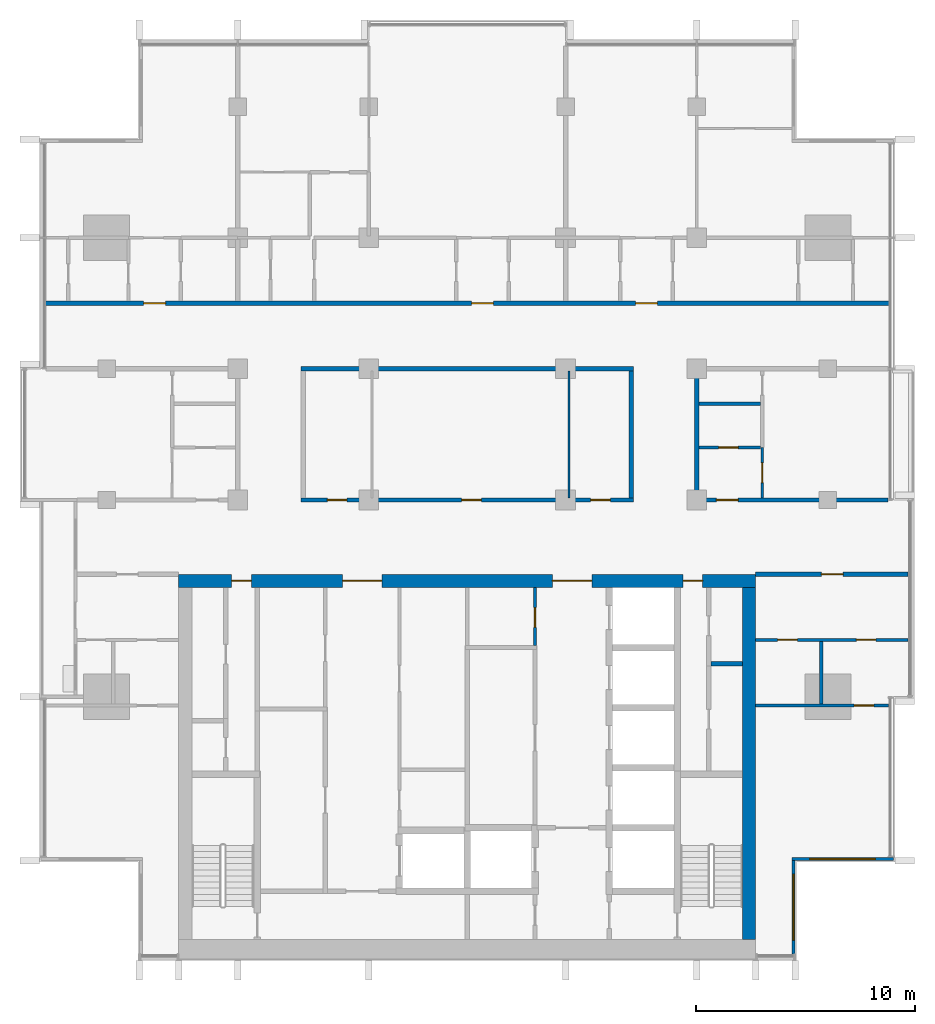
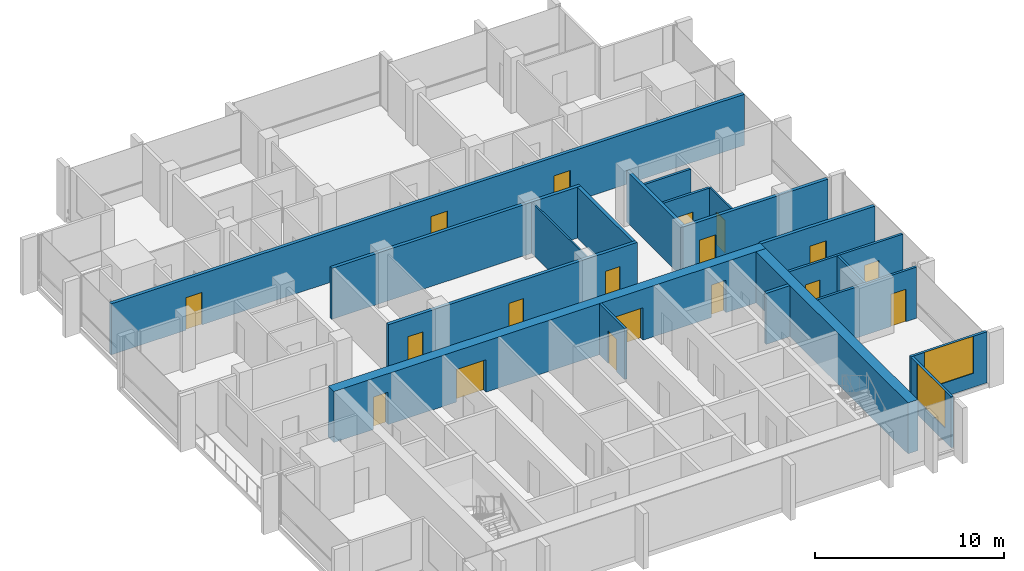
# One storey, part 9 of 16: 20 walls, 18 doors, 2 windows, 20 openings.
"""IFC4 building model written with IfcOpenShell, lengths in metres."""

from ifc_helpers import new_model, si_unit, direction, frame, frame_2d, origin, place, context, subcontext, project, spatial, rectangle, extrude, material, layer, layer_set, type_object, element, fill, save


model = new_model("IFC4")

# Units and contexts
model_context = context("Model", 3, precision=1e-05, world=origin(), true_north=direction((0.0, 1.0)))
body_context = subcontext(model_context, "Body", "Model", "MODEL_VIEW")
ifc_project = project(units=[si_unit("LENGTHUNIT", "METRE"), si_unit("AREAUNIT", "SQUARE_METRE"), si_unit("VOLUMEUNIT", "CUBIC_METRE"), si_unit("PLANEANGLEUNIT", "RADIAN"), si_unit("MASSUNIT", "GRAM", prefix="KILO")], contexts=[model_context])

# Site, building, storey
site_placement = place(None, origin())
site = spatial("IfcSite", under=ifc_project, at=site_placement, CompositionType="ELEMENT")
building_placement = place(site_placement, origin())
building = spatial("IfcBuilding", under=site, at=building_placement, Name="Finial Court Residences", CompositionType="ELEMENT")
storey_placement = place(building_placement, frame((0.0, 0.0, 215.89990234375)))
storey = spatial("IfcBuildingStorey", under=building, at=storey_placement, Name="L54", CompositionType="ELEMENT", Elevation=215.89990234375)

# Wall, openings, doors
ifc_material_1 = material(Name="Concrete C60/75", Category="concrete")
ifc_layer_1 = layer(ifc_material_1, 0.60009765625)
ifc_layer_set_1 = layer_set([ifc_layer_1], Name="Core outer wall 600 Concrete C60/75")
wall_type_1 = type_object("IfcWallType", Name="Core outer wall 600 Concrete C60/75", PredefinedType="SHEAR", material=ifc_layer_set_1)
wall_1_placement = place(storey_placement, frame((-13.199951171875, -8.199951171875, 0.0), z_axis=(0.0, 0.0, 1.0), x_axis=(1.0, 0.0, 0.0)))
wall_1 = element("IfcWall", 1, at=wall_1_placement, inside=storey, type_object=wall_type_1, Name="Core outer wall L54-02", PredefinedType="SHEAR", context=body_context, shape_type="SweptSolid", body=[
    extrude(rectangle(XDim=26.39990234375, YDim=0.60009765625, at=frame_2d((13.199951171875, 0.0))), origin(), (0.0, 0.0, 1.0), 3.300048828125),
])
opening_1_placement = place(wall_1_placement, frame((7.5, 0.0, 0.0)))
opening_1 = element("IfcOpeningElement", 2, at=opening_1_placement, cuts=wall_1, Name="Opening L54-C04", PredefinedType="OPENING", context=body_context, shape_type="SweptSolid", body=[
    extrude(rectangle(XDim=1.800048828125, YDim=2.10009765625, at=frame_2d((0.89990234375, 1.050048828125))), frame((0.0, 0.31005859375, 0.0), z_axis=(0.0, -1.0, 0.0), x_axis=(1.0, 0.0, 0.0)), (0.0, 0.0, 1.0), 0.6201171875),
])
opening_2_placement = place(wall_1_placement, frame((17.10009765625, 0.0, 0.0)))
opening_2 = element("IfcOpeningElement", 3, at=opening_2_placement, cuts=wall_1, Name="Opening L54-C05", PredefinedType="OPENING", context=body_context, shape_type="SweptSolid", body=[
    extrude(rectangle(XDim=1.800048828125, YDim=2.10009765625, at=frame_2d((0.89990234375, 1.050048828125))), frame((0.0, 0.31005859375, 0.0), z_axis=(0.0, -1.0, 0.0), x_axis=(1.0, 0.0, 0.0)), (0.0, 0.0, 1.0), 0.6201171875),
])
opening_3_placement = place(wall_1_placement, frame((2.425048828125, 0.0, 0.0)))
opening_3 = element("IfcOpeningElement", 4, at=opening_3_placement, cuts=wall_1, Name="Opening L54-C11", PredefinedType="OPENING", context=body_context, shape_type="SweptSolid", body=[
    extrude(rectangle(XDim=0.89990234375, YDim=2.10009765625, at=frame_2d((0.449951171875, 1.050048828125))), frame((0.0, 0.31005859375, 0.0), z_axis=(0.0, -1.0, 0.0), x_axis=(1.0, 0.0, 0.0)), (0.0, 0.0, 1.0), 0.6201171875),
])
opening_4_placement = place(wall_1_placement, frame((23.074951171875, 0.0, 0.0)))
opening_4 = element("IfcOpeningElement", 5, at=opening_4_placement, cuts=wall_1, Name="Opening L54-C12", PredefinedType="OPENING", context=body_context, shape_type="SweptSolid", body=[
    extrude(rectangle(XDim=0.89990234375, YDim=2.10009765625, at=frame_2d((0.449951171875, 1.050048828125))), frame((0.0, 0.31005859375, 0.0), z_axis=(0.0, -1.0, 0.0), x_axis=(1.0, 0.0, 0.0)), (0.0, 0.0, 1.0), 0.6201171875),
])
ifc_material_2 = material(Name="Steel fire door", Category="steel")
door_type_1 = type_object("IfcDoorType", Name="Lift lobby door 1800 x 2100 EI 60", OperationType="DOUBLE_DOOR_SINGLE_SWING", PredefinedType="DOOR", material=ifc_material_2)
door_1_placement = place(opening_1_placement, origin())
door_1 = element("IfcDoor", 6, at=door_1_placement, inside=storey, type_object=door_type_1, Name="Lift lobby door L54-C04", OperationType="DOUBLE_DOOR_SINGLE_SWING", OverallHeight=2.10009765625, OverallWidth=1.800048828125, PredefinedType="DOOR", context=body_context, shape_type="SweptSolid", body=[
    extrude(rectangle(XDim=1.800048828125, YDim=2.10009765625, at=frame_2d((0.89990234375, 1.050048828125))), frame((0.0, 0.02490234375, 0.0), z_axis=(0.0, -1.0, 0.0), x_axis=(1.0, 0.0, 0.0)), (0.0, 0.0, 1.0), 0.050048828125),
])
fill(opening_1, door_1)
door_2_placement = place(opening_2_placement, origin())
door_2 = element("IfcDoor", 7, at=door_2_placement, inside=storey, type_object=door_type_1, Name="Lift lobby door L54-C05", OperationType="DOUBLE_DOOR_SINGLE_SWING", OverallHeight=2.10009765625, OverallWidth=1.800048828125, PredefinedType="DOOR", context=body_context, shape_type="SweptSolid", body=[
    extrude(rectangle(XDim=1.800048828125, YDim=2.10009765625, at=frame_2d((0.89990234375, 1.050048828125))), frame((0.0, 0.02490234375, 0.0), z_axis=(0.0, -1.0, 0.0), x_axis=(1.0, 0.0, 0.0)), (0.0, 0.0, 1.0), 0.050048828125),
])
fill(opening_2, door_2)
door_type_2 = type_object("IfcDoorType", Name="Riser room door 900 x 2100 EI 90", OperationType="NOTDEFINED", PredefinedType="DOOR", material=ifc_material_2)
door_3_placement = place(opening_3_placement, origin())
door_3 = element("IfcDoor", 8, at=door_3_placement, inside=storey, type_object=door_type_2, Name="Riser room door L54-C11", OperationType="SINGLE_SWING_RIGHT", OverallHeight=2.10009765625, OverallWidth=0.89990234375, PredefinedType="DOOR", context=body_context, shape_type="SweptSolid", body=[
    extrude(rectangle(XDim=0.89990234375, YDim=2.10009765625, at=frame_2d((0.449951171875, 1.050048828125))), frame((0.0, 0.02490234375, 0.0), z_axis=(0.0, -1.0, 0.0), x_axis=(1.0, 0.0, 0.0)), (0.0, 0.0, 1.0), 0.050048828125),
])
fill(opening_3, door_3)
door_4_placement = place(opening_4_placement, origin())
door_4 = element("IfcDoor", 9, at=door_4_placement, inside=storey, type_object=door_type_2, Name="Riser room door L54-C12", OperationType="SINGLE_SWING_LEFT", OverallHeight=2.10009765625, OverallWidth=0.89990234375, PredefinedType="DOOR", context=body_context, shape_type="SweptSolid", body=[
    extrude(rectangle(XDim=0.89990234375, YDim=2.10009765625, at=frame_2d((0.449951171875, 1.050048828125))), frame((0.0, 0.02490234375, 0.0), z_axis=(0.0, -1.0, 0.0), x_axis=(1.0, 0.0, 0.0)), (0.0, 0.0, 1.0), 0.050048828125),
])
fill(opening_4, door_4)

# Wall
wall_2_placement = place(storey_placement, frame((12.89990234375, -24.60009765625, 0.0), z_axis=(0.0, 0.0, 1.0), x_axis=(0.0, 1.0, 0.0)))
element("IfcWall", 10, at=wall_2_placement, inside=storey, type_object=wall_type_1, Name="Core outer wall L54-04", PredefinedType="SHEAR", context=body_context, shape_type="SweptSolid", body=[
    extrude(rectangle(XDim=16.10009765625, YDim=0.60009765625, at=frame_2d((8.050048828125, 0.0))), origin(), (0.0, 0.0, 1.0), 3.300048828125),
])

# Wall, opening, door
ifc_material_3 = material(Name="Fire-rated gypsum board partition")
ifc_layer_2 = layer(ifc_material_3, 0.14990234375)
ifc_layer_set_2 = layer_set([ifc_layer_2], Name="Core room partition 150 EI 60")
wall_type_2 = type_object("IfcWallType", Name="Core room partition 150 EI 60", PredefinedType="PARTITIONING", material=ifc_layer_set_2)
wall_3_placement = place(storey_placement, frame((3.10009765625, -11.14990234375, 0.0), z_axis=(0.0, 0.0, 1.0), x_axis=(0.0, 1.0, 0.0)))
wall_3 = element("IfcWall", 11, at=wall_3_placement, inside=storey, type_object=wall_type_2, Name="Core partition L54-35", PredefinedType="PARTITIONING", context=body_context, shape_type="SweptSolid", body=[
    extrude(rectangle(XDim=2.64990234375, YDim=0.14990234375, at=frame_2d((1.324951171875, 0.0))), origin(), (0.0, 0.0, 1.0), 3.300048828125),
])
opening_5_placement = place(wall_3_placement, frame((0.824951171875, 0.0, 0.0)))
opening_5 = element("IfcOpeningElement", 12, at=opening_5_placement, cuts=wall_3, Name="Opening L54-C18", PredefinedType="OPENING", context=body_context, shape_type="SweptSolid", body=[
    extrude(rectangle(XDim=0.89990234375, YDim=2.10009765625, at=frame_2d((0.449951171875, 1.050048828125))), frame((0.0, 0.0849609375, 0.0), z_axis=(0.0, -1.0, 0.0), x_axis=(1.0, 0.0, 0.0)), (0.0, 0.0, 1.0), 0.169921875),
])
door_type_3 = type_object("IfcDoorType", Name="Core room door 900 x 2100 EI 60", OperationType="NOTDEFINED", PredefinedType="DOOR", material=ifc_material_2)
door_5_placement = place(opening_5_placement, origin())
door_5 = element("IfcDoor", 13, at=door_5_placement, inside=storey, type_object=door_type_3, Name="Core room door L54-C18", OperationType="SINGLE_SWING_LEFT", OverallHeight=2.10009765625, OverallWidth=0.89990234375, PredefinedType="DOOR", context=body_context, shape_type="SweptSolid", body=[
    extrude(rectangle(XDim=0.89990234375, YDim=2.10009765625, at=frame_2d((0.449951171875, 1.050048828125))), frame((0.0, 0.02490234375, 0.0), z_axis=(0.0, -1.0, 0.0), x_axis=(1.0, 0.0, 0.0)), (0.0, 0.0, 1.0), 0.050048828125),
])
fill(opening_5, door_5)

ifc_material_4 = material(Name="Gypsum board")
ifc_layer_3 = layer(ifc_material_4, 0.02490234375)
ifc_material_5 = material(Name="Acoustic mineral wool in double frame")
ifc_layer_4 = layer(ifc_material_5, 0.14990234375)
ifc_layer_5 = layer(ifc_material_4, 0.02490234375)
ifc_layer_set_3 = layer_set([ifc_layer_3, ifc_layer_4, ifc_layer_5], Name="Corridor wall 200, 1 hour")
wall_type_3 = type_object("IfcWallType", Name="Corridor wall 200, 1 hour", PredefinedType="PARTITIONING", material=ifc_layer_set_3)
wall_4_placement = place(storey_placement, frame((13.199951171875, -7.89990234375, 0.0), z_axis=(0.0, 0.0, 1.0), x_axis=(1.0, 0.0, 0.0)))
wall_4 = element("IfcWall", 14, at=wall_4_placement, inside=storey, type_object=wall_type_3, Name="Partition L54-005", PredefinedType="PARTITIONING", context=body_context, shape_type="SweptSolid", body=[
    extrude(rectangle(XDim=6.962646484375, YDim=0.199951171875, at=frame_2d((3.4814453125, 0.0))), origin(), (0.0, 0.0, 1.0), 3.300048828125),
])
opening_6_placement = place(wall_4_placement, frame((3.0, 0.0, 0.0)))
opening_6 = element("IfcOpeningElement", 15, at=opening_6_placement, cuts=wall_4, Name="Opening L54-D008", PredefinedType="OPENING", context=body_context, shape_type="SweptSolid", body=[
    extrude(rectangle(XDim=1.0, YDim=2.10009765625, at=frame_2d((0.5, 1.050048828125))), frame((0.0, 0.10986328125, 0.0), z_axis=(0.0, -1.0, 0.0), x_axis=(1.0, 0.0, 0.0)), (0.0, 0.0, 1.0), 0.219970703125),
])
ifc_material_6 = material(Name="Timber door leaf in hollow metal frame", Category="wood")
door_type_4 = type_object("IfcDoorType", Name="Fire door set 1000 x 2100, 30 minutes", OperationType="SINGLE_SWING_LEFT", PredefinedType="DOOR", material=ifc_material_6)
door_6_placement = place(opening_6_placement, origin())
door_6 = element("IfcDoor", 16, at=door_6_placement, inside=storey, type_object=door_type_4, Name="Door L54-D008", OperationType="SINGLE_SWING_LEFT", OverallHeight=2.10009765625, OverallWidth=1.0, PredefinedType="DOOR", context=body_context, shape_type="SweptSolid", body=[
    extrude(rectangle(XDim=1.0, YDim=2.10009765625, at=frame_2d((0.5, 1.050048828125))), frame((0.0, 0.02490234375, 0.0), z_axis=(0.0, -1.0, 0.0), x_axis=(1.0, 0.0, 0.0)), (0.0, 0.0, 1.0), 0.050048828125),
])
fill(opening_6, door_6)

# Wall, openings, doors
wall_5_placement = place(storey_placement, frame((-7.60009765625, -4.5, 0.0), z_axis=(0.0, 0.0, 1.0), x_axis=(1.0, 0.0, 0.0)))
wall_5 = element("IfcWall", 17, at=wall_5_placement, inside=storey, type_object=wall_type_3, Name="Partition L54-007", PredefinedType="PARTITIONING", context=body_context, shape_type="SweptSolid", body=[
    extrude(rectangle(XDim=15.2001953125, YDim=0.199951171875, at=frame_2d((7.60009765625, 0.0))), origin(), (0.0, 0.0, 1.0), 3.300048828125),
])
opening_7_placement = place(wall_5_placement, frame((1.199951171875, 0.0, 0.0)))
opening_7 = element("IfcOpeningElement", 18, at=opening_7_placement, cuts=wall_5, Name="Opening L54-D010", PredefinedType="OPENING", context=body_context, shape_type="SweptSolid", body=[
    extrude(rectangle(XDim=0.89990234375, YDim=2.10009765625, at=frame_2d((0.449951171875, 1.050048828125))), frame((0.0, 0.10986328125, 0.0), z_axis=(0.0, -1.0, 0.0), x_axis=(1.0, 0.0, 0.0)), (0.0, 0.0, 1.0), 0.219970703125),
])
opening_8_placement = place(wall_5_placement, frame((7.35009765625, 0.0, 0.0)))
opening_8 = element("IfcOpeningElement", 19, at=opening_8_placement, cuts=wall_5, Name="Opening L54-D011", PredefinedType="OPENING", context=body_context, shape_type="SweptSolid", body=[
    extrude(rectangle(XDim=0.89990234375, YDim=2.10009765625, at=frame_2d((0.449951171875, 1.050048828125))), frame((0.0, 0.10986328125, 0.0), z_axis=(0.0, -1.0, 0.0), x_axis=(1.0, 0.0, 0.0)), (0.0, 0.0, 1.0), 0.219970703125),
])
opening_9_placement = place(wall_5_placement, frame((13.25, 0.0, 0.0)))
opening_9 = element("IfcOpeningElement", 20, at=opening_9_placement, cuts=wall_5, Name="Opening L54-D012", PredefinedType="OPENING", context=body_context, shape_type="SweptSolid", body=[
    extrude(rectangle(XDim=0.89990234375, YDim=2.10009765625, at=frame_2d((0.449951171875, 1.050048828125))), frame((0.0, 0.10986328125, 0.0), z_axis=(0.0, -1.0, 0.0), x_axis=(1.0, 0.0, 0.0)), (0.0, 0.0, 1.0), 0.219970703125),
])
door_type_5 = type_object("IfcDoorType", Name="Fire door set 900 x 2100, 30 minutes", OperationType="SINGLE_SWING_LEFT", PredefinedType="DOOR", material=ifc_material_6)
door_7_placement = place(opening_7_placement, origin())
door_7 = element("IfcDoor", 21, at=door_7_placement, inside=storey, type_object=door_type_5, Name="Door L54-D010", OperationType="SINGLE_SWING_RIGHT", OverallHeight=2.10009765625, OverallWidth=0.89990234375, PredefinedType="DOOR", context=body_context, shape_type="SweptSolid", body=[
    extrude(rectangle(XDim=0.89990234375, YDim=2.10009765625, at=frame_2d((0.449951171875, 1.050048828125))), frame((0.0, 0.02490234375, 0.0), z_axis=(0.0, -1.0, 0.0), x_axis=(1.0, 0.0, 0.0)), (0.0, 0.0, 1.0), 0.050048828125),
])
fill(opening_7, door_7)
door_8_placement = place(opening_8_placement, origin())
door_8 = element("IfcDoor", 22, at=door_8_placement, inside=storey, type_object=door_type_5, Name="Door L54-D011", OperationType="SINGLE_SWING_LEFT", OverallHeight=2.10009765625, OverallWidth=0.89990234375, PredefinedType="DOOR", context=body_context, shape_type="SweptSolid", body=[
    extrude(rectangle(XDim=0.89990234375, YDim=2.10009765625, at=frame_2d((0.449951171875, 1.050048828125))), frame((0.0, 0.02490234375, 0.0), z_axis=(0.0, -1.0, 0.0), x_axis=(1.0, 0.0, 0.0)), (0.0, 0.0, 1.0), 0.050048828125),
])
fill(opening_8, door_8)
door_9_placement = place(opening_9_placement, origin())
door_9 = element("IfcDoor", 23, at=door_9_placement, inside=storey, type_object=door_type_5, Name="Door L54-D012", OperationType="SINGLE_SWING_LEFT", OverallHeight=2.10009765625, OverallWidth=0.89990234375, PredefinedType="DOOR", context=body_context, shape_type="SweptSolid", body=[
    extrude(rectangle(XDim=0.89990234375, YDim=2.10009765625, at=frame_2d((0.449951171875, 1.050048828125))), frame((0.0, 0.02490234375, 0.0), z_axis=(0.0, -1.0, 0.0), x_axis=(1.0, 0.0, 0.0)), (0.0, 0.0, 1.0), 0.050048828125),
])
fill(opening_9, door_9)

# Wall, opening, door
wall_6_placement = place(storey_placement, frame((10.39990234375, -4.5, 0.0), z_axis=(0.0, 0.0, 1.0), x_axis=(1.0, 0.0, 0.0)))
wall_6 = element("IfcWall", 24, at=wall_6_placement, inside=storey, type_object=wall_type_3, Name="Partition L54-008", PredefinedType="PARTITIONING", context=body_context, shape_type="SweptSolid", body=[
    extrude(rectangle(XDim=8.862548828125, YDim=0.199951171875, at=frame_2d((4.43115234375, 0.0))), origin(), (0.0, 0.0, 1.0), 3.300048828125),
])
opening_10_placement = place(wall_6_placement, frame((1.0, 0.0, 0.0)))
opening_10 = element("IfcOpeningElement", 25, at=opening_10_placement, cuts=wall_6, Name="Opening L54-D013", PredefinedType="OPENING", context=body_context, shape_type="SweptSolid", body=[
    extrude(rectangle(XDim=1.0, YDim=2.10009765625, at=frame_2d((0.5, 1.050048828125))), frame((0.0, 0.10986328125, 0.0), z_axis=(0.0, -1.0, 0.0), x_axis=(1.0, 0.0, 0.0)), (0.0, 0.0, 1.0), 0.219970703125),
])
door_10_placement = place(opening_10_placement, origin())
door_10 = element("IfcDoor", 26, at=door_10_placement, inside=storey, type_object=door_type_4, Name="Door L54-D013", OperationType="SINGLE_SWING_RIGHT", OverallHeight=2.10009765625, OverallWidth=1.0, PredefinedType="DOOR", context=body_context, shape_type="SweptSolid", body=[
    extrude(rectangle(XDim=1.0, YDim=2.10009765625, at=frame_2d((0.5, 1.050048828125))), frame((0.0, 0.02490234375, 0.0), z_axis=(0.0, -1.0, 0.0), x_axis=(1.0, 0.0, 0.0)), (0.0, 0.0, 1.0), 0.050048828125),
])
fill(opening_10, door_10)

# Wall
wall_7_placement = place(storey_placement, frame((-7.60009765625, 1.5, 0.0), z_axis=(0.0, 0.0, 1.0), x_axis=(1.0, 0.0, 0.0)))
element("IfcWall", 27, at=wall_7_placement, inside=storey, type_object=wall_type_3, Name="Partition L54-014", PredefinedType="PARTITIONING", context=body_context, shape_type="SweptSolid", body=[
    extrude(rectangle(XDim=15.2001953125, YDim=0.199951171875, at=frame_2d((7.60009765625, 0.0))), origin(), (0.0, 0.0, 1.0), 3.300048828125),
])

# Wall, openings, doors
wall_8_placement = place(storey_placement, frame((-19.35009765625, 4.5, 0.0), z_axis=(0.0, 0.0, 1.0), x_axis=(1.0, 0.0, 0.0)))
wall_8 = element("IfcWall", 28, at=wall_8_placement, inside=storey, type_object=wall_type_3, Name="Partition L54-016", PredefinedType="PARTITIONING", context=body_context, shape_type="SweptSolid", body=[
    extrude(rectangle(XDim=38.7001953125, YDim=0.199951171875, at=frame_2d((19.35009765625, 0.0))), origin(), (0.0, 0.0, 1.0), 3.300048828125),
])
opening_11_placement = place(wall_8_placement, frame((4.550048828125, 0.0, 0.0)))
opening_11 = element("IfcOpeningElement", 29, at=opening_11_placement, cuts=wall_8, Name="Opening L54-D016", PredefinedType="OPENING", context=body_context, shape_type="SweptSolid", body=[
    extrude(rectangle(XDim=1.0, YDim=2.10009765625, at=frame_2d((0.5, 1.050048828125))), frame((0.0, 0.10986328125, 0.0), z_axis=(0.0, -1.0, 0.0), x_axis=(1.0, 0.0, 0.0)), (0.0, 0.0, 1.0), 0.219970703125),
])
opening_12_placement = place(wall_8_placement, frame((19.550048828125, 0.0, 0.0)))
opening_12 = element("IfcOpeningElement", 30, at=opening_12_placement, cuts=wall_8, Name="Opening L54-D017", PredefinedType="OPENING", context=body_context, shape_type="SweptSolid", body=[
    extrude(rectangle(XDim=1.0, YDim=2.10009765625, at=frame_2d((0.5, 1.050048828125))), frame((0.0, 0.10986328125, 0.0), z_axis=(0.0, -1.0, 0.0), x_axis=(1.0, 0.0, 0.0)), (0.0, 0.0, 1.0), 0.219970703125),
])
opening_13_placement = place(wall_8_placement, frame((27.050048828125, 0.0, 0.0)))
opening_13 = element("IfcOpeningElement", 31, at=opening_13_placement, cuts=wall_8, Name="Opening L54-D018", PredefinedType="OPENING", context=body_context, shape_type="SweptSolid", body=[
    extrude(rectangle(XDim=1.0, YDim=2.10009765625, at=frame_2d((0.5, 1.050048828125))), frame((0.0, 0.10986328125, 0.0), z_axis=(0.0, -1.0, 0.0), x_axis=(1.0, 0.0, 0.0)), (0.0, 0.0, 1.0), 0.219970703125),
])
door_11_placement = place(opening_11_placement, origin())
door_11 = element("IfcDoor", 32, at=door_11_placement, inside=storey, type_object=door_type_4, Name="Door L54-D016", OperationType="SINGLE_SWING_RIGHT", OverallHeight=2.10009765625, OverallWidth=1.0, PredefinedType="DOOR", context=body_context, shape_type="SweptSolid", body=[
    extrude(rectangle(XDim=1.0, YDim=2.10009765625, at=frame_2d((0.5, 1.050048828125))), frame((0.0, 0.02490234375, 0.0), z_axis=(0.0, -1.0, 0.0), x_axis=(1.0, 0.0, 0.0)), (0.0, 0.0, 1.0), 0.050048828125),
])
fill(opening_11, door_11)
door_12_placement = place(opening_12_placement, origin())
door_12 = element("IfcDoor", 33, at=door_12_placement, inside=storey, type_object=door_type_4, Name="Door L54-D017", OperationType="SINGLE_SWING_LEFT", OverallHeight=2.10009765625, OverallWidth=1.0, PredefinedType="DOOR", context=body_context, shape_type="SweptSolid", body=[
    extrude(rectangle(XDim=1.0, YDim=2.10009765625, at=frame_2d((0.5, 1.050048828125))), frame((0.0, 0.02490234375, 0.0), z_axis=(0.0, -1.0, 0.0), x_axis=(1.0, 0.0, 0.0)), (0.0, 0.0, 1.0), 0.050048828125),
])
fill(opening_12, door_12)
door_13_placement = place(opening_13_placement, origin())
door_13 = element("IfcDoor", 34, at=door_13_placement, inside=storey, type_object=door_type_4, Name="Door L54-D018", OperationType="SINGLE_SWING_LEFT", OverallHeight=2.10009765625, OverallWidth=1.0, PredefinedType="DOOR", context=body_context, shape_type="SweptSolid", body=[
    extrude(rectangle(XDim=1.0, YDim=2.10009765625, at=frame_2d((0.5, 1.050048828125))), frame((0.0, 0.02490234375, 0.0), z_axis=(0.0, -1.0, 0.0), x_axis=(1.0, 0.0, 0.0)), (0.0, 0.0, 1.0), 0.050048828125),
])
fill(opening_13, door_13)

# Walls
for number, where, z_axis, x_axis, name in (
    (35, (7.5, -4.39990234375, 0.0), (0.0, 0.0, 1.0), (0.0, 1.0, 0.0), "Partition L54-054"),
    (36, (10.5, -4.39990234375, 0.0), (0.0, 0.0, 1.0), (0.0, 1.0, 0.0), "Partition L54-056"),
):
    element("IfcWall", number, at=place(storey_placement, frame(where, z_axis=z_axis, x_axis=x_axis)), inside=storey, type_object=wall_type_3, Name=name, PredefinedType="PARTITIONING", context=body_context, shape_type="SweptSolid", body=[
        extrude(rectangle(XDim=5.7998046875, YDim=0.199951171875, at=frame_2d((2.89990234375, 0.0))), origin(), (0.0, 0.0, 1.0), 3.300048828125),
    ])
ifc_layer_6 = layer(ifc_material_4, 0.012451171875)
ifc_material_7 = material(Name="Mineral wool in light-gauge frame")
ifc_layer_7 = layer(ifc_material_7, 0.074951171875)
ifc_layer_8 = layer(ifc_material_4, 0.012451171875)
ifc_layer_set_4 = layer_set([ifc_layer_6, ifc_layer_7, ifc_layer_8], Name="Gypsum board partition 100")
wall_type_4 = type_object("IfcWallType", Name="Gypsum board partition 100", PredefinedType="PARTITIONING", material=ifc_layer_set_4)
wall_9_placement = place(storey_placement, frame((4.64990234375, -4.39990234375, 0.0), z_axis=(0.0, 0.0, 1.0), x_axis=(0.0, 1.0, 0.0)))
element("IfcWall", 37, at=wall_9_placement, inside=storey, type_object=wall_type_4, Name="Partition L54-052", PredefinedType="PARTITIONING", context=body_context, shape_type="SweptSolid", body=[
    extrude(rectangle(XDim=5.7998046875, YDim=0.10009765625, at=frame_2d((2.89990234375, 0.0))), origin(), (0.0, 0.0, 1.0), 3.300048828125),
])

# Wall, opening, door
wall_10_placement = place(storey_placement, frame((13.5, -4.39990234375, 0.0), z_axis=(0.0, 0.0, 1.0), x_axis=(0.0, 1.0, 0.0)))
wall_10 = element("IfcWall", 38, at=wall_10_placement, inside=storey, type_object=wall_type_4, Name="Partition L54-058", PredefinedType="PARTITIONING", context=body_context, shape_type="SweptSolid", body=[
    extrude(rectangle(XDim=2.2998046875, YDim=0.10009765625, at=frame_2d((1.14990234375, 0.0))), origin(), (0.0, 0.0, 1.0), 3.300048828125),
])
opening_14_placement = place(wall_10_placement, frame((0.699951171875, 0.0, 0.0)))
opening_14 = element("IfcOpeningElement", 39, at=opening_14_placement, cuts=wall_10, Name="Opening L54-D038", PredefinedType="OPENING", context=body_context, shape_type="SweptSolid", body=[
    extrude(rectangle(XDim=0.89990234375, YDim=2.10009765625, at=frame_2d((0.449951171875, 1.050048828125))), frame((0.0, 0.06005859375, 0.0), z_axis=(0.0, -1.0, 0.0), x_axis=(1.0, 0.0, 0.0)), (0.0, 0.0, 1.0), 0.1201171875),
])
ifc_material_8 = material(Name="Timber door leaf in timber frame", Category="wood")
door_type_6 = type_object("IfcDoorType", Name="Door set 900 x 2100", OperationType="SINGLE_SWING_LEFT", PredefinedType="DOOR", material=ifc_material_8)
door_14_placement = place(opening_14_placement, origin())
door_14 = element("IfcDoor", 40, at=door_14_placement, inside=storey, type_object=door_type_6, Name="Door L54-D038", OperationType="SINGLE_SWING_LEFT", OverallHeight=2.10009765625, OverallWidth=0.89990234375, PredefinedType="DOOR", context=body_context, shape_type="SweptSolid", body=[
    extrude(rectangle(XDim=0.89990234375, YDim=2.10009765625, at=frame_2d((0.449951171875, 1.050048828125))), frame((0.0, 0.02490234375, 0.0), z_axis=(0.0, -1.0, 0.0), x_axis=(1.0, 0.0, 0.0)), (0.0, 0.0, 1.0), 0.050048828125),
])
fill(opening_14, door_14)

ifc_material_9 = material(Name="Moisture-resistant gypsum board")
ifc_layer_9 = layer(ifc_material_9, 0.012451171875)
ifc_layer_10 = layer(ifc_material_7, 0.125)
ifc_layer_11 = layer(ifc_material_9, 0.012451171875)
ifc_layer_set_5 = layer_set([ifc_layer_9, ifc_layer_10, ifc_layer_11], Name="Gypsum board wet-area partition 150")
wall_type_5 = type_object("IfcWallType", Name="Gypsum board wet-area partition 150", PredefinedType="PARTITIONING", material=ifc_layer_set_5)
wall_11_placement = place(storey_placement, frame((13.199951171875, -13.89990234375, 0.0), z_axis=(0.0, 0.0, 1.0), x_axis=(1.0, 0.0, 0.0)))
wall_11 = element("IfcWall", 41, at=wall_11_placement, inside=storey, type_object=wall_type_5, Name="Partition L54-001", PredefinedType="PARTITIONING", context=body_context, shape_type="SweptSolid", body=[
    extrude(rectangle(XDim=6.0625, YDim=0.14990234375, at=frame_2d((3.03125, 0.0))), origin(), (0.0, 0.0, 1.0), 3.300048828125),
])
opening_15_placement = place(wall_11_placement, frame((4.5, 0.0, 0.0)))
opening_15 = element("IfcOpeningElement", 42, at=opening_15_placement, cuts=wall_11, Name="Opening L54-D002", PredefinedType="OPENING", context=body_context, shape_type="SweptSolid", body=[
    extrude(rectangle(XDim=0.89990234375, YDim=2.10009765625, at=frame_2d((0.449951171875, 1.050048828125))), frame((0.0, 0.0849609375, 0.0), z_axis=(0.0, -1.0, 0.0), x_axis=(1.0, 0.0, 0.0)), (0.0, 0.0, 1.0), 0.169921875),
])
door_15_placement = place(opening_15_placement, origin())
door_15 = element("IfcDoor", 43, at=door_15_placement, inside=storey, type_object=door_type_6, Name="Door L54-D002", OperationType="SINGLE_SWING_RIGHT", OverallHeight=2.10009765625, OverallWidth=0.89990234375, PredefinedType="DOOR", context=body_context, shape_type="SweptSolid", body=[
    extrude(rectangle(XDim=0.89990234375, YDim=2.10009765625, at=frame_2d((0.449951171875, 1.050048828125))), frame((0.0, 0.02490234375, 0.0), z_axis=(0.0, -1.0, 0.0), x_axis=(1.0, 0.0, 0.0)), (0.0, 0.0, 1.0), 0.050048828125),
])
fill(opening_15, door_15)

# Wall, openings, doors
wall_12_placement = place(storey_placement, frame((13.199951171875, -10.89990234375, 0.0), z_axis=(0.0, 0.0, 1.0), x_axis=(1.0, 0.0, 0.0)))
wall_12 = element("IfcWall", 44, at=wall_12_placement, inside=storey, type_object=wall_type_5, Name="Partition L54-003", PredefinedType="PARTITIONING", context=body_context, shape_type="SweptSolid", body=[
    extrude(rectangle(XDim=6.962646484375, YDim=0.14990234375, at=frame_2d((3.4814453125, 0.0))), origin(), (0.0, 0.0, 1.0), 3.300048828125),
])
opening_16_placement = place(wall_12_placement, frame((1.0, 0.0, 0.0)))
opening_16 = element("IfcOpeningElement", 45, at=opening_16_placement, cuts=wall_12, Name="Opening L54-D005", PredefinedType="OPENING", context=body_context, shape_type="SweptSolid", body=[
    extrude(rectangle(XDim=0.89990234375, YDim=2.10009765625, at=frame_2d((0.449951171875, 1.050048828125))), frame((0.0, 0.0849609375, 0.0), z_axis=(0.0, -1.0, 0.0), x_axis=(1.0, 0.0, 0.0)), (0.0, 0.0, 1.0), 0.169921875),
])
opening_17_placement = place(wall_12_placement, frame((4.60009765625, 0.0, 0.0)))
opening_17 = element("IfcOpeningElement", 46, at=opening_17_placement, cuts=wall_12, Name="Opening L54-D006", PredefinedType="OPENING", context=body_context, shape_type="SweptSolid", body=[
    extrude(rectangle(XDim=0.89990234375, YDim=2.10009765625, at=frame_2d((0.449951171875, 1.050048828125))), frame((0.0, 0.0849609375, 0.0), z_axis=(0.0, -1.0, 0.0), x_axis=(1.0, 0.0, 0.0)), (0.0, 0.0, 1.0), 0.169921875),
])
door_16_placement = place(opening_16_placement, origin())
door_16 = element("IfcDoor", 47, at=door_16_placement, inside=storey, type_object=door_type_6, Name="Door L54-D005", OperationType="SINGLE_SWING_LEFT", OverallHeight=2.10009765625, OverallWidth=0.89990234375, PredefinedType="DOOR", context=body_context, shape_type="SweptSolid", body=[
    extrude(rectangle(XDim=0.89990234375, YDim=2.10009765625, at=frame_2d((0.449951171875, 1.050048828125))), frame((0.0, 0.02490234375, 0.0), z_axis=(0.0, -1.0, 0.0), x_axis=(1.0, 0.0, 0.0)), (0.0, 0.0, 1.0), 0.050048828125),
])
fill(opening_16, door_16)
door_17_placement = place(opening_17_placement, origin())
door_17 = element("IfcDoor", 48, at=door_17_placement, inside=storey, type_object=door_type_6, Name="Door L54-D006", OperationType="SINGLE_SWING_RIGHT", OverallHeight=2.10009765625, OverallWidth=0.89990234375, PredefinedType="DOOR", context=body_context, shape_type="SweptSolid", body=[
    extrude(rectangle(XDim=0.89990234375, YDim=2.10009765625, at=frame_2d((0.449951171875, 1.050048828125))), frame((0.0, 0.02490234375, 0.0), z_axis=(0.0, -1.0, 0.0), x_axis=(1.0, 0.0, 0.0)), (0.0, 0.0, 1.0), 0.050048828125),
])
fill(opening_17, door_17)

# Wall, opening, door
wall_13_placement = place(storey_placement, frame((10.60009765625, -2.10009765625, 0.0), z_axis=(0.0, 0.0, 1.0), x_axis=(1.0, 0.0, 0.0)))
wall_13 = element("IfcWall", 49, at=wall_13_placement, inside=storey, type_object=wall_type_5, Name="Partition L54-010", PredefinedType="PARTITIONING", context=body_context, shape_type="SweptSolid", body=[
    extrude(rectangle(XDim=2.824951171875, YDim=0.14990234375, at=frame_2d((1.41259765625, 0.0))), origin(), (0.0, 0.0, 1.0), 3.300048828125),
])
opening_18_placement = place(wall_13_placement, frame((0.89990234375, 0.0, 0.0)))
opening_18 = element("IfcOpeningElement", 50, at=opening_18_placement, cuts=wall_13, Name="Opening L54-D015", PredefinedType="OPENING", context=body_context, shape_type="SweptSolid", body=[
    extrude(rectangle(XDim=0.89990234375, YDim=2.10009765625, at=frame_2d((0.449951171875, 1.050048828125))), frame((0.0, 0.0849609375, 0.0), z_axis=(0.0, -1.0, 0.0), x_axis=(1.0, 0.0, 0.0)), (0.0, 0.0, 1.0), 0.169921875),
])
door_18_placement = place(opening_18_placement, origin())
door_18 = element("IfcDoor", 51, at=door_18_placement, inside=storey, type_object=door_type_6, Name="Door L54-D015", OperationType="SINGLE_SWING_RIGHT", OverallHeight=2.10009765625, OverallWidth=0.89990234375, PredefinedType="DOOR", context=body_context, shape_type="SweptSolid", body=[
    extrude(rectangle(XDim=0.89990234375, YDim=2.10009765625, at=frame_2d((0.449951171875, 1.050048828125))), frame((0.0, 0.02490234375, 0.0), z_axis=(0.0, -1.0, 0.0), x_axis=(1.0, 0.0, 0.0)), (0.0, 0.0, 1.0), 0.050048828125),
])
fill(opening_18, door_18)

# Walls
wall_14_placement = place(storey_placement, frame((10.60009765625, -0.10009765625, 0.0), z_axis=(0.0, 0.0, 1.0), x_axis=(1.0, 0.0, 0.0)))
element("IfcWall", 52, at=wall_14_placement, inside=storey, type_object=wall_type_5, Name="Partition L54-012", PredefinedType="PARTITIONING", context=body_context, shape_type="SweptSolid", body=[
    extrude(rectangle(XDim=2.824951171875, YDim=0.14990234375, at=frame_2d((1.41259765625, 0.0))), origin(), (0.0, 0.0, 1.0), 3.300048828125),
])
wall_15_placement = place(storey_placement, frame((16.199951171875, -13.824951171875, 0.0), z_axis=(0.0, 0.0, 1.0), x_axis=(0.0, 1.0, 0.0)))
element("IfcWall", 53, at=wall_15_placement, inside=storey, type_object=wall_type_5, Name="Partition L54-061", PredefinedType="PARTITIONING", context=body_context, shape_type="SweptSolid", body=[
    extrude(rectangle(XDim=2.849853515625, YDim=0.14990234375, at=frame_2d((1.4248046875, 0.0))), origin(), (0.0, 0.0, 1.0), 3.300048828125),
])

# Wall, opening, window
ifc_material_10 = material(Name="Natural limestone", Category="masonry")
ifc_layer_12 = layer(ifc_material_10, 0.14990234375)
ifc_layer_set_6 = layer_set([ifc_layer_12], Name="Limestone clad wall 150")
wall_type_6 = type_object("IfcWallType", Name="Limestone clad wall 150", PredefinedType="SOLIDWALL", material=ifc_layer_set_6)
wall_16_placement = place(storey_placement, frame((14.925048828125, -21.0, 0.0), z_axis=(0.0, 0.0, 1.0), x_axis=(0.0, -1.0, 0.0)))
wall_16 = element("IfcWall", 54, at=wall_16_placement, inside=storey, type_object=wall_type_6, Name="E-L54-NWE14", PredefinedType="SOLIDWALL", context=body_context, shape_type="SweptSolid", body=[
    extrude(rectangle(XDim=4.262451171875, YDim=0.14990234375, at=frame_2d((2.13134765625, 0.0))), origin(), (0.0, 0.0, 1.0), 3.300048828125),
])
opening_19_placement = place(wall_16_placement, frame((0.63134765625, 0.0, 0.89990234375)))
opening_19 = element("IfcOpeningElement", 55, at=opening_19_placement, cuts=wall_16, Name="Opening WE54-03", PredefinedType="OPENING", context=body_context, shape_type="SweptSolid", body=[
    extrude(rectangle(XDim=3.0, YDim=2.39990234375, at=frame_2d((1.5, 1.199951171875))), frame((0.0, 0.0849609375, 0.0), z_axis=(0.0, -1.0, 0.0), x_axis=(1.0, 0.0, 0.0)), (0.0, 0.0, 1.0), 0.169921875),
])
ifc_material_11 = material(Name="Clear low-e glass", Category="glass")
window_type = type_object("IfcWindowType", Name="Corner window 3000 x 2400", PartitioningType="SINGLE_PANEL", PredefinedType="WINDOW", material=ifc_material_11)
window_1_placement = place(opening_19_placement, origin())
window_1 = element("IfcWindow", 56, at=window_1_placement, inside=storey, type_object=window_type, Name="E-L54-NWE14-W1", OverallHeight=2.39990234375, OverallWidth=3.0, PartitioningType="SINGLE_PANEL", PredefinedType="WINDOW", context=body_context, shape_type="SweptSolid", body=[
    extrude(rectangle(XDim=3.0, YDim=2.39990234375, at=frame_2d((1.5, 1.199951171875))), frame((0.0, 0.030029296875, 0.0), z_axis=(0.0, -1.0, 0.0), x_axis=(1.0, 0.0, 0.0)), (0.0, 0.0, 1.0), 0.06005859375),
])
fill(opening_19, window_1)

wall_17_placement = place(storey_placement, frame((19.5, -20.925048828125, 0.0), z_axis=(0.0, 0.0, 1.0), x_axis=(-1.0, 0.0, 0.0)))
wall_17 = element("IfcWall", 57, at=wall_17_placement, inside=storey, type_object=wall_type_6, Name="E-L54-NWS15", PredefinedType="SOLIDWALL", context=body_context, shape_type="SweptSolid", body=[
    extrude(rectangle(XDim=4.64990234375, YDim=0.14990234375, at=frame_2d((2.324951171875, 0.0))), origin(), (0.0, 0.0, 1.0), 3.300048828125),
])
opening_20_placement = place(wall_17_placement, frame((0.824951171875, 0.0, 0.89990234375)))
opening_20 = element("IfcOpeningElement", 58, at=opening_20_placement, cuts=wall_17, Name="Opening WE54-04", PredefinedType="OPENING", context=body_context, shape_type="SweptSolid", body=[
    extrude(rectangle(XDim=3.0, YDim=2.39990234375, at=frame_2d((1.5, 1.199951171875))), frame((0.0, 0.0849609375, 0.0), z_axis=(0.0, -1.0, 0.0), x_axis=(1.0, 0.0, 0.0)), (0.0, 0.0, 1.0), 0.169921875),
])
window_2_placement = place(opening_20_placement, origin())
window_2 = element("IfcWindow", 59, at=window_2_placement, inside=storey, type_object=window_type, Name="E-L54-NWS15-W1", OverallHeight=2.39990234375, OverallWidth=3.0, PartitioningType="SINGLE_PANEL", PredefinedType="WINDOW", context=body_context, shape_type="SweptSolid", body=[
    extrude(rectangle(XDim=3.0, YDim=2.39990234375, at=frame_2d((1.5, 1.199951171875))), frame((0.0, 0.030029296875, 0.0), z_axis=(0.0, -1.0, 0.0), x_axis=(1.0, 0.0, 0.0)), (0.0, 0.0, 1.0), 0.06005859375),
])
fill(opening_20, window_2)

# Wall
ifc_layer_13 = layer(ifc_material_3, 0.199951171875)
ifc_layer_set_7 = layer_set([ifc_layer_13], Name="Riser room wall 200 EI 120")
wall_type_7 = type_object("IfcWallType", Name="Riser room wall 200 EI 120", PredefinedType="PARTITIONING", material=ifc_layer_set_7)
wall_18_placement = place(storey_placement, frame((11.14990234375, -12.0, 0.0), z_axis=(0.0, 0.0, 1.0), x_axis=(1.0, 0.0, 0.0)))
element("IfcWall", 60, at=wall_18_placement, inside=storey, type_object=wall_type_7, Name="Core partition L54-16", PredefinedType="PARTITIONING", context=body_context, shape_type="SweptSolid", body=[
    extrude(rectangle(XDim=1.4501953125, YDim=0.199951171875, at=frame_2d((0.72509765625, 0.0))), origin(), (0.0, 0.0, 1.0), 3.300048828125),
])

save(model, "model.ifc")
